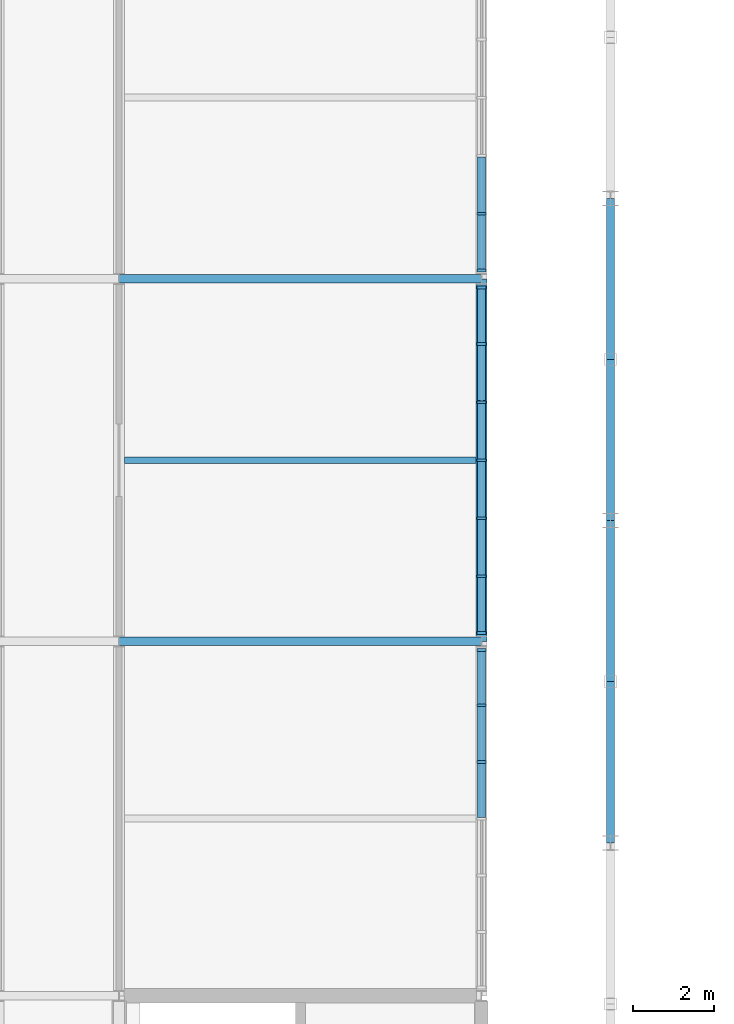
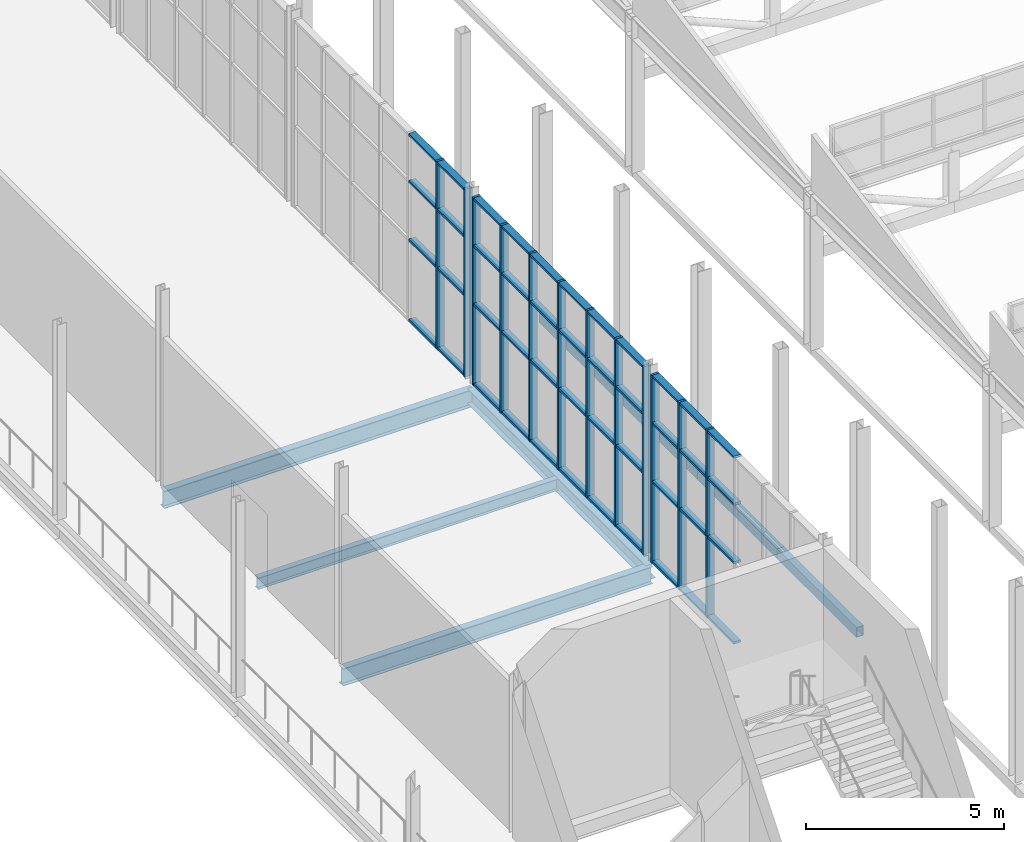
# One storey, part 76 of 159: 56 members, 8 beams, 3 elements without a shape of their own.
"""IFC4 building model written with IfcOpenShell, lengths in metres."""

import ifcopenshell
import ifcopenshell.guid

model = None  # the IFC model being written
_history = None  # IfcOwnerHistory: only IFC2X3 demands one
_inside = {}  # id of a spatial element -> (the spatial element, [elements in it])
_under = {}  # id of a project, library or spatial element -> (it, [spatial elements below it])
_declared = {}  # id of a project -> (the project, [libraries it declares])
_typed = {}  # id of a type object -> (the type object, [elements of that type])
_made_of = {}  # id of a material, layer set ... -> (it, [elements and type objects made of it])


def new_model(schema):
    """Start an empty IFC model of exactly this schema.

    Asked for "IFC4X3", IfcOpenShell would pick the latest addendum, in which some entities
    have other attributes; the version numbers below select the first issue.
    IFC2X3 requires an IfcOwnerHistory on every rooted entity: one is made here for all.
    """
    global model, _history
    if schema == "IFC4X3":
        model = ifcopenshell.file(schema_version=(4, 3, 0, 0))
    else:
        model = ifcopenshell.file(schema=schema)
    _inside.clear()
    _under.clear()
    _declared.clear()
    _typed.clear()
    _made_of.clear()
    _history = None
    if model.schema == "IFC2X3":
        org = make("IfcOrganization", Name="unknown")
        user = make(
            "IfcPersonAndOrganization",
            ThePerson=make("IfcPerson", FamilyName="unknown"),
            TheOrganization=org,
        )
        app = make(
            "IfcApplication",
            ApplicationDeveloper=org,
            Version="unknown",
            ApplicationFullName="unknown",
            ApplicationIdentifier="unknown",
        )
        _history = make(
            "IfcOwnerHistory",
            OwningUser=user,
            OwningApplication=app,
            ChangeAction="ADDED",
            CreationDate=0,
        )
    return model


def make(cls, **values):
    """One entity of the class cls with the attributes given. An attribute that is None is left unset."""
    return model.create_entity(
        cls, **{name: value for name, value in values.items() if value is not None}
    )


def rooted(cls, **values):
    """An entity with a GlobalId (a new one), such as an element, a storey or a relation."""
    return make(cls, GlobalId=ifcopenshell.guid.new(), OwnerHistory=_history, **values)


def si_unit(unit_type, name, prefix=None):
    """IfcSIUnit, for example si_unit("LENGTHUNIT", "METRE", prefix="MILLI")."""
    return make("IfcSIUnit", UnitType=unit_type, Prefix=prefix, Name=name)


def assignment(units):
    """IfcUnitAssignment: the units of a project."""
    return None if units is None else make("IfcUnitAssignment", Units=units)


def point(xyz):
    """IfcCartesianPoint."""
    return None if xyz is None else make("IfcCartesianPoint", Coordinates=xyz)


def direction(xyz):
    """IfcDirection."""
    return None if xyz is None else make("IfcDirection", DirectionRatios=xyz)


def frame(location, z_axis=None, x_axis=None):
    """IfcAxis2Placement3D, a coordinate frame: its origin and axes. An axis left out is left unset."""
    return make(
        "IfcAxis2Placement3D",
        Location=point(location),
        Axis=direction(z_axis),
        RefDirection=direction(x_axis),
    )


def frame_2d(location, x_axis=None):
    """IfcAxis2Placement2D, a coordinate frame in the plane: its origin and x axis."""
    return make(
        "IfcAxis2Placement2D", Location=point(location), RefDirection=direction(x_axis)
    )


def origin():
    """The frame at (0, 0, 0) with its axes left unset."""
    return frame((0.0, 0.0, 0.0))


def origin_2d():
    """The frame at (0, 0) in the plane with its x axis left unset."""
    return frame_2d((0.0, 0.0))


def place(relative_to, where):
    """IfcLocalPlacement: puts the frame where relative to a parent placement (None: the world)."""
    return make(
        "IfcLocalPlacement", PlacementRelTo=relative_to, RelativePlacement=where
    )


def context(
    kind, dimensions, precision=None, world=None, true_north=None, identifier=None
):
    """IfcGeometricRepresentationContext, for example the 3D "Model" context."""
    return make(
        "IfcGeometricRepresentationContext",
        ContextIdentifier=identifier,
        ContextType=kind,
        CoordinateSpaceDimension=dimensions,
        Precision=precision,
        WorldCoordinateSystem=world,
        TrueNorth=true_north,
    )


def subcontext(parent, identifier, kind, view, scale=None):
    """IfcGeometricRepresentationSubContext, for example "Body" below "Model"."""
    return make(
        "IfcGeometricRepresentationSubContext",
        ContextIdentifier=identifier,
        ContextType=kind,
        ParentContext=parent,
        TargetScale=scale,
        TargetView=view,
    )


def project(units=None, contexts=None):
    """IfcProject with its units and contexts."""
    return rooted(
        "IfcProject",
        Name="project",
        RepresentationContexts=contexts,
        UnitsInContext=assignment(units),
    )


def spatial(cls, under=None, at=None, **own):
    """A site, building, storey or space (cls), placed at a placement, below another one or the project."""
    s = rooted(cls, ObjectPlacement=at, **own)
    if under is not None:
        _under.setdefault(under.id(), (under, []))[1].append(s)
    return s


def profile(cls, at=None, kind="AREA", **sizes):
    """A parametric profile (cls). Its sizes go by their IFC names, for example OverallWidth=200.0."""
    return make(cls, ProfileType=kind, Position=at, **sizes)


def rectangle(**sizes):
    """IfcRectangleProfileDef."""
    return profile("IfcRectangleProfileDef", **sizes)


def hollow_rectangle(**sizes):
    """IfcRectangleHollowProfileDef."""
    return profile("IfcRectangleHollowProfileDef", **sizes)


def i_section(**sizes):
    """IfcIShapeProfileDef."""
    return profile("IfcIShapeProfileDef", **sizes)


def extrude(swept, where, along, depth):
    """IfcExtrudedAreaSolid: the profile swept, set in the frame where, extruded along a direction by depth."""
    return make(
        "IfcExtrudedAreaSolid",
        SweptArea=swept,
        Position=where,
        ExtrudedDirection=direction(along),
        Depth=depth,
    )


def shape(context_of_items, identifier, shape_type, items):
    """IfcShapeRepresentation: the items that make up one representation, for example the "Body"."""
    return make(
        "IfcShapeRepresentation",
        ContextOfItems=context_of_items,
        RepresentationIdentifier=identifier,
        RepresentationType=shape_type,
        Items=items,
    )


def material(Name=None, Category=None):
    """IfcMaterial."""
    return make("IfcMaterial", Name=Name, Category=Category)


def layer(
    of_material, thickness, ventilated=None, Name=None, Category=None, Priority=None
):
    """IfcMaterialLayer: one layer of a wall or slab, of a material (None: an air gap)."""
    return make(
        "IfcMaterialLayer",
        Material=of_material,
        LayerThickness=thickness,
        IsVentilated=ventilated,
        Name=Name,
        Category=Category,
        Priority=Priority,
    )


def layer_set(layers, Name=None):
    """IfcMaterialLayerSet."""
    return make("IfcMaterialLayerSet", MaterialLayers=layers, LayerSetName=Name)


def material_profile(
    of_material, cross_section, Name=None, Category=None, Priority=None
):
    """IfcMaterialProfile: a cross section and its material."""
    return make(
        "IfcMaterialProfile",
        Name=Name,
        Material=of_material,
        Profile=cross_section,
        Priority=Priority,
        Category=Category,
    )


def profile_set(profiles, Name=None, composite=None):
    """IfcMaterialProfileSet."""
    return make(
        "IfcMaterialProfileSet",
        Name=Name,
        MaterialProfiles=profiles,
        CompositeProfile=composite,
    )


def made_of(thing, what):
    """Note that an element or type object is made of a material, layer set ...; save() writes the relation."""
    if what is not None:
        _made_of.setdefault(what.id(), (what, []))[1].append(thing)
    return thing


def type_object(cls, material=None, **own):
    """A type object (cls), such as IfcWallType, which elements share."""
    return made_of(rooted(cls, **own), material)


def element(
    cls,
    number,
    at=None,
    inside=None,
    cuts=None,
    type_object=None,
    material=None,
    context=None,
    identifier="Body",
    shape_type=None,
    held_by="IfcProductDefinitionShape",
    body=None,
    shapes=None,
    **own,
):
    """One element of the class cls, such as IfcWall. Its Tag is "e" and its number.

    at: its placement. inside: the storey or other place that contains it. cuts: it is an
    opening in that element (IfcRelVoidsElement). A single representation is given by context,
    identifier, shape_type and body (its items); several are given by shapes. held_by: the class
    of the entity that holds the representations. save() writes the other relations.
    """
    e = rooted(cls, Tag="e%d" % number, ObjectPlacement=at, **own)
    if body is not None:
        shapes = [shape(context, identifier, shape_type, body)]
    if shapes is not None:
        e.Representation = make(held_by, Representations=shapes)
    if inside is not None:
        _inside.setdefault(inside.id(), (inside, []))[1].append(e)
    if cuts is not None:
        rooted(
            "IfcRelVoidsElement", RelatingBuildingElement=cuts, RelatedOpeningElement=e
        )
    if type_object is not None:
        _typed.setdefault(type_object.id(), (type_object, []))[1].append(e)
    return made_of(e, material)


def aggregate(whole, parts):
    """IfcRelAggregates: a whole, such as a stair, and the parts it consists of."""
    return rooted("IfcRelAggregates", RelatingObject=whole, RelatedObjects=parts)


def save(model, path):
    """Write the relations noted so far, then the file.

    IfcRelAggregates (storeys below a building ...), IfcRelContainedInSpatialStructure (elements
    in a storey), IfcRelDefinesByType, IfcRelAssociatesMaterial and IfcRelDeclares: one each for
    every whole, place, type object, material and project.
    """
    for whole, parts in _under.values():
        aggregate(whole, parts)
    for where, things in _inside.values():
        rooted(
            "IfcRelContainedInSpatialStructure",
            RelatedElements=things,
            RelatingStructure=where,
        )
    for kind, things in _typed.values():
        rooted("IfcRelDefinesByType", RelatedObjects=things, RelatingType=kind)
    for what, things in _made_of.values():
        rooted("IfcRelAssociatesMaterial", RelatedObjects=things, RelatingMaterial=what)
    for by, libraries in _declared.values():
        rooted("IfcRelDeclares", RelatingContext=by, RelatedDefinitions=libraries)
    model.write(path)


model = new_model("IFC4")

# Units and contexts
model_context = context("Model", 3, precision=1e-05, world=origin(), true_north=direction((0.0, 1.0)))
body_context = subcontext(model_context, "Body", "Model", "MODEL_VIEW")
ifc_project = project(units=[si_unit("LENGTHUNIT", "METRE"), si_unit("AREAUNIT", "SQUARE_METRE"), si_unit("VOLUMEUNIT", "CUBIC_METRE"), si_unit("PLANEANGLEUNIT", "RADIAN"), si_unit("MASSUNIT", "GRAM", prefix="KILO")], contexts=[model_context])

# Site, building, storey
site_placement = place(None, origin())
site = spatial("IfcSite", under=ifc_project, at=site_placement, CompositionType="ELEMENT")
building_placement = place(site_placement, origin())
building = spatial("IfcBuilding", under=site, at=building_placement, Name="Cazmaro Siding Exhibition Halls", CompositionType="ELEMENT")
storey_placement = place(building_placement, frame((0.0, 0.0, 6.0)))
storey = spatial("IfcBuildingStorey", under=building, at=storey_placement, Name="L01", CompositionType="ELEMENT", Elevation=6.0)

# Beams
ifc_material_1 = material(Name="Steel ASTM A992 Grade 50", Category="steel")
ifc_material_profile_1 = material_profile(ifc_material_1, i_section(OverallWidth=0.2099609375, OverallDepth=0.535888671875, WebThickness=0.010986328125, FlangeThickness=0.01708984375, at=origin_2d()), Name="W21X68")
ifc_profile_set_1 = profile_set([ifc_material_profile_1], Name="Steel ASTM A992 Grade 50")
beam_type_1 = type_object("IfcBeamType", Name="B-02", PredefinedType="BEAM", material=ifc_profile_set_1)
for number, where, z_axis, x_axis, name in (
    (1, (158.800048828125, 85.0, -0.488037109375), (1.0, 0.0, 0.0), (0.0, 1.0, 0.0), "Beam B-02 BM-0383"),
    (2, (158.800048828125, 94.0, -0.488037109375), (1.0, 0.0, 0.0), (0.0, 1.0, 0.0), "Beam B-02 BM-0384"),
):
    element("IfcBeam", number, at=place(storey_placement, frame(where, z_axis=z_axis, x_axis=x_axis)), inside=storey, type_object=beam_type_1, Name=name, PredefinedType="BEAM", context=body_context, shape_type="SweptSolid", body=[
        extrude(i_section(OverallWidth=0.2099609375, OverallDepth=0.535888671875, WebThickness=0.010986328125, FlangeThickness=0.01708984375, at=origin_2d()), origin(), (0.0, 0.0, 1.0), 9.0),
    ])
ifc_material_2 = material(Name="Steel ASTM A992 Grade 50", Category="steel")
ifc_material_profile_2 = material_profile(ifc_material_2, i_section(OverallWidth=0.279052734375, OverallDepth=0.4619140625, WebThickness=0.010986328125, FlangeThickness=0.01708984375, at=origin_2d()), Name="W18X76")
ifc_profile_set_2 = profile_set([ifc_material_profile_2], Name="Steel ASTM A992 Grade 50")
beam_type_2 = type_object("IfcBeamType", Name="B-03", PredefinedType="BEAM", material=ifc_profile_set_2)
beam_1_placement = place(storey_placement, frame((167.800048828125, 85.0, -0.450927734375), z_axis=(0.0, 1.0, 0.0), x_axis=(-1.0, 0.0, 0.0)))
element("IfcBeam", 3, at=beam_1_placement, inside=storey, type_object=beam_type_2, Name="Beam B-03 BM-0388", PredefinedType="BEAM", context=body_context, shape_type="SweptSolid", body=[
    extrude(i_section(OverallWidth=0.279052734375, OverallDepth=0.4619140625, WebThickness=0.010986328125, FlangeThickness=0.01708984375, at=origin_2d()), origin(), (0.0, 0.0, 1.0), 9.0),
])

# Curtain wall, members
ifc_material_3 = material(Name="Anodized Bronze Aluminum and Solar-Control Low-E Glazing", Category="aluminium")
ifc_layer = layer(ifc_material_3, 0.219970703125)
ifc_layer_set = layer_set([ifc_layer], Name="Anodized Bronze Aluminum and Solar-Control Low-E Glazing")
curtain_wall_type = type_object("IfcCurtainWallType", Name="CWS-03", PredefinedType="USERDEFINED", material=ifc_layer_set)
curtain_wall_1_placement = place(storey_placement, origin())
curtain_wall_1 = element("IfcCurtainWall", 4, at=curtain_wall_1_placement, inside=storey, type_object=curtain_wall_type, Name="Glazed Curtain Wall CWS-03 CW-066", ObjectType="GLAZED CURTAIN WALL", PredefinedType="USERDEFINED")
ifc_material_4 = material(Name="Anodized Bronze Extruded Aluminum", Category="aluminium")
ifc_material_profile_3 = material_profile(ifc_material_4, rectangle(XDim=0.219970703125, YDim=0.070068359375, at=origin_2d()), Name="CWM-03")
ifc_profile_set_3 = profile_set([ifc_material_profile_3], Name="Anodized Bronze Extruded Aluminum")
member_type_1 = type_object("IfcMemberType", Name="CWM-03", PredefinedType="MULLION", material=ifc_profile_set_3)
member_1_placement = place(storey_placement, frame((167.800048828125, 82.007568359375, 0.0), z_axis=(0.0, 0.0, 1.0), x_axis=(-1.0, 0.0, 0.0)))
member_1 = element("IfcMember", 5, at=member_1_placement, type_object=member_type_1, Name="CWS-03 mullion 5", PredefinedType="MULLION", context=body_context, shape_type="SweptSolid", body=[
    extrude(rectangle(XDim=0.219970703125, YDim=0.070068359375, at=origin_2d()), origin(), (0.0, 0.0, 1.0), 5.780029296875),
])
member_2_placement = place(storey_placement, frame((167.800048828125, 83.415283203125, 0.0), z_axis=(0.0, 0.0, 1.0), x_axis=(-1.0, 0.0, 0.0)))
member_2 = element("IfcMember", 6, at=member_2_placement, type_object=member_type_1, Name="CWS-03 mullion 6", PredefinedType="MULLION", context=body_context, shape_type="SweptSolid", body=[
    extrude(rectangle(XDim=0.219970703125, YDim=0.070068359375, at=origin_2d()), origin(), (0.0, 0.0, 1.0), 5.780029296875),
])
member_3_placement = place(storey_placement, frame((167.800048828125, 84.7880859375, 0.0), z_axis=(0.0, 0.0, 1.0), x_axis=(-1.0, 0.0, 0.0)))
member_3 = element("IfcMember", 7, at=member_3_placement, type_object=member_type_1, Name="CWS-03 mullion 7", PredefinedType="MULLION", context=body_context, shape_type="SweptSolid", body=[
    extrude(rectangle(XDim=0.219970703125, YDim=0.070068359375, at=origin_2d()), origin(), (0.0, 0.0, 1.0), 5.780029296875),
])

curtain_wall_2_placement = place(storey_placement, origin())
curtain_wall_2 = element("IfcCurtainWall", 8, at=curtain_wall_2_placement, inside=storey, type_object=curtain_wall_type, Name="Glazed Curtain Wall CWS-03 CW-069", ObjectType="GLAZED CURTAIN WALL", PredefinedType="USERDEFINED")
member_4_placement = place(storey_placement, frame((167.800048828125, 85.2119140625, 0.0), z_axis=(0.0, 0.0, 1.0), x_axis=(-1.0, 0.0, 0.0)))
member_4 = element("IfcMember", 9, at=member_4_placement, type_object=member_type_1, Name="CWS-03 mullion 1", PredefinedType="MULLION", context=body_context, shape_type="SweptSolid", body=[
    extrude(rectangle(XDim=0.219970703125, YDim=0.070068359375, at=origin_2d()), origin(), (0.0, 0.0, 1.0), 5.780029296875),
])
member_5_placement = place(storey_placement, frame((167.800048828125, 86.617919921875, 0.0), z_axis=(0.0, 0.0, 1.0), x_axis=(-1.0, 0.0, 0.0)))
member_5 = element("IfcMember", 10, at=member_5_placement, type_object=member_type_1, Name="CWS-03 mullion 2", PredefinedType="MULLION", context=body_context, shape_type="SweptSolid", body=[
    extrude(rectangle(XDim=0.219970703125, YDim=0.070068359375, at=origin_2d()), origin(), (0.0, 0.0, 1.0), 5.780029296875),
])
member_6_placement = place(storey_placement, frame((167.800048828125, 88.05908203125, 0.0), z_axis=(0.0, 0.0, 1.0), x_axis=(-1.0, 0.0, 0.0)))
member_6 = element("IfcMember", 11, at=member_6_placement, type_object=member_type_1, Name="CWS-03 mullion 3", PredefinedType="MULLION", context=body_context, shape_type="SweptSolid", body=[
    extrude(rectangle(XDim=0.219970703125, YDim=0.070068359375, at=origin_2d()), origin(), (0.0, 0.0, 1.0), 5.780029296875),
])
member_7_placement = place(storey_placement, frame((167.800048828125, 89.5, 0.0), z_axis=(0.0, 0.0, 1.0), x_axis=(-1.0, 0.0, 0.0)))
member_7 = element("IfcMember", 12, at=member_7_placement, type_object=member_type_1, Name="CWS-03 mullion 4", PredefinedType="MULLION", context=body_context, shape_type="SweptSolid", body=[
    extrude(rectangle(XDim=0.219970703125, YDim=0.070068359375, at=origin_2d()), origin(), (0.0, 0.0, 1.0), 5.780029296875),
])
member_8_placement = place(storey_placement, frame((167.800048828125, 90.94091796875, 0.0), z_axis=(0.0, 0.0, 1.0), x_axis=(-1.0, 0.0, 0.0)))
member_8 = element("IfcMember", 13, at=member_8_placement, type_object=member_type_1, Name="CWS-03 mullion 5", PredefinedType="MULLION", context=body_context, shape_type="SweptSolid", body=[
    extrude(rectangle(XDim=0.219970703125, YDim=0.070068359375, at=origin_2d()), origin(), (0.0, 0.0, 1.0), 5.780029296875),
])
member_9_placement = place(storey_placement, frame((167.800048828125, 92.382080078125, 0.0), z_axis=(0.0, 0.0, 1.0), x_axis=(-1.0, 0.0, 0.0)))
member_9 = element("IfcMember", 14, at=member_9_placement, type_object=member_type_1, Name="CWS-03 mullion 6", PredefinedType="MULLION", context=body_context, shape_type="SweptSolid", body=[
    extrude(rectangle(XDim=0.219970703125, YDim=0.070068359375, at=origin_2d()), origin(), (0.0, 0.0, 1.0), 5.780029296875),
])
member_10_placement = place(storey_placement, frame((167.800048828125, 93.7880859375, 0.0), z_axis=(0.0, 0.0, 1.0), x_axis=(-1.0, 0.0, 0.0)))
member_10 = element("IfcMember", 15, at=member_10_placement, type_object=member_type_1, Name="CWS-03 mullion 7", PredefinedType="MULLION", context=body_context, shape_type="SweptSolid", body=[
    extrude(rectangle(XDim=0.219970703125, YDim=0.070068359375, at=origin_2d()), origin(), (0.0, 0.0, 1.0), 5.780029296875),
])

curtain_wall_3_placement = place(storey_placement, origin())
curtain_wall_3 = element("IfcCurtainWall", 16, at=curtain_wall_3_placement, inside=storey, type_object=curtain_wall_type, Name="Glazed Curtain Wall CWS-03 CW-072", ObjectType="GLAZED CURTAIN WALL", PredefinedType="USERDEFINED")
member_11_placement = place(storey_placement, frame((167.800048828125, 94.2119140625, 0.0), z_axis=(0.0, 0.0, 1.0), x_axis=(-1.0, 0.0, 0.0)))
member_11 = element("IfcMember", 17, at=member_11_placement, type_object=member_type_1, Name="CWS-03 mullion 1", PredefinedType="MULLION", context=body_context, shape_type="SweptSolid", body=[
    extrude(rectangle(XDim=0.219970703125, YDim=0.070068359375, at=origin_2d()), origin(), (0.0, 0.0, 1.0), 5.780029296875),
])
member_12_placement = place(storey_placement, frame((167.800048828125, 95.617919921875, 0.0), z_axis=(0.0, 0.0, 1.0), x_axis=(-1.0, 0.0, 0.0)))
member_12 = element("IfcMember", 18, at=member_12_placement, type_object=member_type_1, Name="CWS-03 mullion 2", PredefinedType="MULLION", context=body_context, shape_type="SweptSolid", body=[
    extrude(rectangle(XDim=0.219970703125, YDim=0.070068359375, at=origin_2d()), origin(), (0.0, 0.0, 1.0), 5.780029296875),
])

# Member
ifc_material_5 = material(Name="Anodized Bronze Extruded Aluminum", Category="aluminium")
ifc_material_profile_4 = material_profile(ifc_material_5, rectangle(XDim=0.199951171875, YDim=0.070068359375, at=origin_2d()), Name="CWT-03")
ifc_profile_set_4 = profile_set([ifc_material_profile_4], Name="Anodized Bronze Extruded Aluminum")
member_type_2 = type_object("IfcMemberType", Name="CWT-03", PredefinedType="MULLION", material=ifc_profile_set_4)
member_13_placement = place(storey_placement, frame((167.800048828125, 80.635009765625, 0.034912109375), z_axis=(0.0, 1.0, 0.0), x_axis=(-1.0, 0.0, 0.0)))
member_13 = element("IfcMember", 19, at=member_13_placement, type_object=member_type_2, Name="CWS-03 transom 4.1", ObjectType="TRANSOM", PredefinedType="USERDEFINED", context=body_context, shape_type="SweptSolid", body=[
    extrude(rectangle(XDim=0.199951171875, YDim=0.070068359375, at=origin_2d()), origin(), (0.0, 0.0, 1.0), 1.337646484375),
])

member_14_placement = place(storey_placement, frame((167.800048828125, 80.635009765625, 2.5), z_axis=(0.0, 1.0, 0.0), x_axis=(-1.0, 0.0, 0.0)))
member_14 = element("IfcMember", 20, at=member_14_placement, type_object=member_type_2, Name="CWS-03 transom 4.2", ObjectType="TRANSOM", PredefinedType="USERDEFINED", context=body_context, shape_type="SweptSolid", body=[
    extrude(rectangle(XDim=0.199951171875, YDim=0.070068359375, at=origin_2d()), origin(), (0.0, 0.0, 1.0), 1.337646484375),
])

member_15_placement = place(storey_placement, frame((167.800048828125, 80.635009765625, 4.300048828125), z_axis=(0.0, 1.0, 0.0), x_axis=(-1.0, 0.0, 0.0)))
member_15 = element("IfcMember", 21, at=member_15_placement, type_object=member_type_2, Name="CWS-03 transom 4.3", ObjectType="TRANSOM", PredefinedType="USERDEFINED", context=body_context, shape_type="SweptSolid", body=[
    extrude(rectangle(XDim=0.199951171875, YDim=0.070068359375, at=origin_2d()), origin(), (0.0, 0.0, 1.0), 1.337646484375),
])

member_16_placement = place(storey_placement, frame((167.800048828125, 80.635009765625, 5.7451171875), z_axis=(0.0, 1.0, 0.0), x_axis=(-1.0, 0.0, 0.0)))
member_16 = element("IfcMember", 22, at=member_16_placement, type_object=member_type_2, Name="CWS-03 transom 4.4", ObjectType="TRANSOM", PredefinedType="USERDEFINED", context=body_context, shape_type="SweptSolid", body=[
    extrude(rectangle(XDim=0.199951171875, YDim=0.070068359375, at=origin_2d()), origin(), (0.0, 0.0, 1.0), 1.337646484375),
])

member_17_placement = place(storey_placement, frame((167.800048828125, 82.042724609375, 0.034912109375), z_axis=(0.0, 1.0, 0.0), x_axis=(-1.0, 0.0, 0.0)))
member_17 = element("IfcMember", 23, at=member_17_placement, type_object=member_type_2, Name="CWS-03 transom 5.1", ObjectType="TRANSOM", PredefinedType="USERDEFINED", context=body_context, shape_type="SweptSolid", body=[
    extrude(rectangle(XDim=0.199951171875, YDim=0.070068359375, at=origin_2d()), origin(), (0.0, 0.0, 1.0), 1.337646484375),
])

member_18_placement = place(storey_placement, frame((167.800048828125, 82.042724609375, 2.5), z_axis=(0.0, 1.0, 0.0), x_axis=(-1.0, 0.0, 0.0)))
member_18 = element("IfcMember", 24, at=member_18_placement, type_object=member_type_2, Name="CWS-03 transom 5.2", ObjectType="TRANSOM", PredefinedType="USERDEFINED", context=body_context, shape_type="SweptSolid", body=[
    extrude(rectangle(XDim=0.199951171875, YDim=0.070068359375, at=origin_2d()), origin(), (0.0, 0.0, 1.0), 1.337646484375),
])

member_19_placement = place(storey_placement, frame((167.800048828125, 82.042724609375, 4.300048828125), z_axis=(0.0, 1.0, 0.0), x_axis=(-1.0, 0.0, 0.0)))
member_19 = element("IfcMember", 25, at=member_19_placement, type_object=member_type_2, Name="CWS-03 transom 5.3", ObjectType="TRANSOM", PredefinedType="USERDEFINED", context=body_context, shape_type="SweptSolid", body=[
    extrude(rectangle(XDim=0.199951171875, YDim=0.070068359375, at=origin_2d()), origin(), (0.0, 0.0, 1.0), 1.337646484375),
])

member_20_placement = place(storey_placement, frame((167.800048828125, 82.042724609375, 5.7451171875), z_axis=(0.0, 1.0, 0.0), x_axis=(-1.0, 0.0, 0.0)))
member_20 = element("IfcMember", 26, at=member_20_placement, type_object=member_type_2, Name="CWS-03 transom 5.4", ObjectType="TRANSOM", PredefinedType="USERDEFINED", context=body_context, shape_type="SweptSolid", body=[
    extrude(rectangle(XDim=0.199951171875, YDim=0.070068359375, at=origin_2d()), origin(), (0.0, 0.0, 1.0), 1.337646484375),
])

member_21_placement = place(storey_placement, frame((167.800048828125, 83.450439453125, 0.034912109375), z_axis=(0.0, 1.0, 0.0), x_axis=(-1.0, 0.0, 0.0)))
member_21 = element("IfcMember", 27, at=member_21_placement, type_object=member_type_2, Name="CWS-03 transom 6.1", ObjectType="TRANSOM", PredefinedType="USERDEFINED", context=body_context, shape_type="SweptSolid", body=[
    extrude(rectangle(XDim=0.199951171875, YDim=0.070068359375, at=origin_2d()), origin(), (0.0, 0.0, 1.0), 1.302490234375),
])

member_22_placement = place(storey_placement, frame((167.800048828125, 83.450439453125, 2.5), z_axis=(0.0, 1.0, 0.0), x_axis=(-1.0, 0.0, 0.0)))
member_22 = element("IfcMember", 28, at=member_22_placement, type_object=member_type_2, Name="CWS-03 transom 6.2", ObjectType="TRANSOM", PredefinedType="USERDEFINED", context=body_context, shape_type="SweptSolid", body=[
    extrude(rectangle(XDim=0.199951171875, YDim=0.070068359375, at=origin_2d()), origin(), (0.0, 0.0, 1.0), 1.302490234375),
])

member_23_placement = place(storey_placement, frame((167.800048828125, 83.450439453125, 4.300048828125), z_axis=(0.0, 1.0, 0.0), x_axis=(-1.0, 0.0, 0.0)))
member_23 = element("IfcMember", 29, at=member_23_placement, type_object=member_type_2, Name="CWS-03 transom 6.3", ObjectType="TRANSOM", PredefinedType="USERDEFINED", context=body_context, shape_type="SweptSolid", body=[
    extrude(rectangle(XDim=0.199951171875, YDim=0.070068359375, at=origin_2d()), origin(), (0.0, 0.0, 1.0), 1.302490234375),
])

member_24_placement = place(storey_placement, frame((167.800048828125, 83.450439453125, 5.7451171875), z_axis=(0.0, 1.0, 0.0), x_axis=(-1.0, 0.0, 0.0)))
member_24 = element("IfcMember", 30, at=member_24_placement, type_object=member_type_2, Name="CWS-03 transom 6.4", ObjectType="TRANSOM", PredefinedType="USERDEFINED", context=body_context, shape_type="SweptSolid", body=[
    extrude(rectangle(XDim=0.199951171875, YDim=0.070068359375, at=origin_2d()), origin(), (0.0, 0.0, 1.0), 1.302490234375),
])

aggregate(curtain_wall_1, [member_1, member_2, member_3, member_13, member_14, member_15, member_16, member_17, member_18, member_19, member_20, member_21, member_22, member_23, member_24])

member_25_placement = place(storey_placement, frame((167.800048828125, 85.2470703125, 0.034912109375), z_axis=(0.0, 1.0, 0.0), x_axis=(-1.0, 0.0, 0.0)))
member_25 = element("IfcMember", 31, at=member_25_placement, type_object=member_type_2, Name="CWS-03 transom 1.1", ObjectType="TRANSOM", PredefinedType="USERDEFINED", context=body_context, shape_type="SweptSolid", body=[
    extrude(rectangle(XDim=0.199951171875, YDim=0.070068359375, at=origin_2d()), origin(), (0.0, 0.0, 1.0), 1.3359375),
])

member_26_placement = place(storey_placement, frame((167.800048828125, 85.2470703125, 2.5), z_axis=(0.0, 1.0, 0.0), x_axis=(-1.0, 0.0, 0.0)))
member_26 = element("IfcMember", 32, at=member_26_placement, type_object=member_type_2, Name="CWS-03 transom 1.2", ObjectType="TRANSOM", PredefinedType="USERDEFINED", context=body_context, shape_type="SweptSolid", body=[
    extrude(rectangle(XDim=0.199951171875, YDim=0.070068359375, at=origin_2d()), origin(), (0.0, 0.0, 1.0), 1.3359375),
])

member_27_placement = place(storey_placement, frame((167.800048828125, 85.2470703125, 4.300048828125), z_axis=(0.0, 1.0, 0.0), x_axis=(-1.0, 0.0, 0.0)))
member_27 = element("IfcMember", 33, at=member_27_placement, type_object=member_type_2, Name="CWS-03 transom 1.3", ObjectType="TRANSOM", PredefinedType="USERDEFINED", context=body_context, shape_type="SweptSolid", body=[
    extrude(rectangle(XDim=0.199951171875, YDim=0.070068359375, at=origin_2d()), origin(), (0.0, 0.0, 1.0), 1.3359375),
])

member_28_placement = place(storey_placement, frame((167.800048828125, 85.2470703125, 5.7451171875), z_axis=(0.0, 1.0, 0.0), x_axis=(-1.0, 0.0, 0.0)))
member_28 = element("IfcMember", 34, at=member_28_placement, type_object=member_type_2, Name="CWS-03 transom 1.4", ObjectType="TRANSOM", PredefinedType="USERDEFINED", context=body_context, shape_type="SweptSolid", body=[
    extrude(rectangle(XDim=0.199951171875, YDim=0.070068359375, at=origin_2d()), origin(), (0.0, 0.0, 1.0), 1.3359375),
])

member_29_placement = place(storey_placement, frame((167.800048828125, 86.653076171875, 0.034912109375), z_axis=(0.0, 1.0, 0.0), x_axis=(-1.0, 0.0, 0.0)))
member_29 = element("IfcMember", 35, at=member_29_placement, type_object=member_type_2, Name="CWS-03 transom 2.1", ObjectType="TRANSOM", PredefinedType="USERDEFINED", context=body_context, shape_type="SweptSolid", body=[
    extrude(rectangle(XDim=0.199951171875, YDim=0.070068359375, at=origin_2d()), origin(), (0.0, 0.0, 1.0), 1.370849609375),
])

member_30_placement = place(storey_placement, frame((167.800048828125, 86.653076171875, 2.5), z_axis=(0.0, 1.0, 0.0), x_axis=(-1.0, 0.0, 0.0)))
member_30 = element("IfcMember", 36, at=member_30_placement, type_object=member_type_2, Name="CWS-03 transom 2.2", ObjectType="TRANSOM", PredefinedType="USERDEFINED", context=body_context, shape_type="SweptSolid", body=[
    extrude(rectangle(XDim=0.199951171875, YDim=0.070068359375, at=origin_2d()), origin(), (0.0, 0.0, 1.0), 1.370849609375),
])

member_31_placement = place(storey_placement, frame((167.800048828125, 86.653076171875, 4.300048828125), z_axis=(0.0, 1.0, 0.0), x_axis=(-1.0, 0.0, 0.0)))
member_31 = element("IfcMember", 37, at=member_31_placement, type_object=member_type_2, Name="CWS-03 transom 2.3", ObjectType="TRANSOM", PredefinedType="USERDEFINED", context=body_context, shape_type="SweptSolid", body=[
    extrude(rectangle(XDim=0.199951171875, YDim=0.070068359375, at=origin_2d()), origin(), (0.0, 0.0, 1.0), 1.370849609375),
])

member_32_placement = place(storey_placement, frame((167.800048828125, 86.653076171875, 5.7451171875), z_axis=(0.0, 1.0, 0.0), x_axis=(-1.0, 0.0, 0.0)))
member_32 = element("IfcMember", 38, at=member_32_placement, type_object=member_type_2, Name="CWS-03 transom 2.4", ObjectType="TRANSOM", PredefinedType="USERDEFINED", context=body_context, shape_type="SweptSolid", body=[
    extrude(rectangle(XDim=0.199951171875, YDim=0.070068359375, at=origin_2d()), origin(), (0.0, 0.0, 1.0), 1.370849609375),
])

member_33_placement = place(storey_placement, frame((167.800048828125, 88.093994140625, 0.034912109375), z_axis=(0.0, 1.0, 0.0), x_axis=(-1.0, 0.0, 0.0)))
member_33 = element("IfcMember", 39, at=member_33_placement, type_object=member_type_2, Name="CWS-03 transom 3.1", ObjectType="TRANSOM", PredefinedType="USERDEFINED", context=body_context, shape_type="SweptSolid", body=[
    extrude(rectangle(XDim=0.199951171875, YDim=0.070068359375, at=origin_2d()), origin(), (0.0, 0.0, 1.0), 1.37109375),
])

member_34_placement = place(storey_placement, frame((167.800048828125, 88.093994140625, 2.5), z_axis=(0.0, 1.0, 0.0), x_axis=(-1.0, 0.0, 0.0)))
member_34 = element("IfcMember", 40, at=member_34_placement, type_object=member_type_2, Name="CWS-03 transom 3.2", ObjectType="TRANSOM", PredefinedType="USERDEFINED", context=body_context, shape_type="SweptSolid", body=[
    extrude(rectangle(XDim=0.199951171875, YDim=0.070068359375, at=origin_2d()), origin(), (0.0, 0.0, 1.0), 1.37109375),
])

member_35_placement = place(storey_placement, frame((167.800048828125, 88.093994140625, 4.300048828125), z_axis=(0.0, 1.0, 0.0), x_axis=(-1.0, 0.0, 0.0)))
member_35 = element("IfcMember", 41, at=member_35_placement, type_object=member_type_2, Name="CWS-03 transom 3.3", ObjectType="TRANSOM", PredefinedType="USERDEFINED", context=body_context, shape_type="SweptSolid", body=[
    extrude(rectangle(XDim=0.199951171875, YDim=0.070068359375, at=origin_2d()), origin(), (0.0, 0.0, 1.0), 1.37109375),
])

member_36_placement = place(storey_placement, frame((167.800048828125, 88.093994140625, 5.7451171875), z_axis=(0.0, 1.0, 0.0), x_axis=(-1.0, 0.0, 0.0)))
member_36 = element("IfcMember", 42, at=member_36_placement, type_object=member_type_2, Name="CWS-03 transom 3.4", ObjectType="TRANSOM", PredefinedType="USERDEFINED", context=body_context, shape_type="SweptSolid", body=[
    extrude(rectangle(XDim=0.199951171875, YDim=0.070068359375, at=origin_2d()), origin(), (0.0, 0.0, 1.0), 1.37109375),
])

member_37_placement = place(storey_placement, frame((167.800048828125, 89.534912109375, 0.034912109375), z_axis=(0.0, 1.0, 0.0), x_axis=(-1.0, 0.0, 0.0)))
member_37 = element("IfcMember", 43, at=member_37_placement, type_object=member_type_2, Name="CWS-03 transom 4.1", ObjectType="TRANSOM", PredefinedType="USERDEFINED", context=body_context, shape_type="SweptSolid", body=[
    extrude(rectangle(XDim=0.199951171875, YDim=0.070068359375, at=origin_2d()), origin(), (0.0, 0.0, 1.0), 1.37109375),
])

member_38_placement = place(storey_placement, frame((167.800048828125, 89.534912109375, 2.5), z_axis=(0.0, 1.0, 0.0), x_axis=(-1.0, 0.0, 0.0)))
member_38 = element("IfcMember", 44, at=member_38_placement, type_object=member_type_2, Name="CWS-03 transom 4.2", ObjectType="TRANSOM", PredefinedType="USERDEFINED", context=body_context, shape_type="SweptSolid", body=[
    extrude(rectangle(XDim=0.199951171875, YDim=0.070068359375, at=origin_2d()), origin(), (0.0, 0.0, 1.0), 1.37109375),
])

member_39_placement = place(storey_placement, frame((167.800048828125, 89.534912109375, 4.300048828125), z_axis=(0.0, 1.0, 0.0), x_axis=(-1.0, 0.0, 0.0)))
member_39 = element("IfcMember", 45, at=member_39_placement, type_object=member_type_2, Name="CWS-03 transom 4.3", ObjectType="TRANSOM", PredefinedType="USERDEFINED", context=body_context, shape_type="SweptSolid", body=[
    extrude(rectangle(XDim=0.199951171875, YDim=0.070068359375, at=origin_2d()), origin(), (0.0, 0.0, 1.0), 1.37109375),
])

member_40_placement = place(storey_placement, frame((167.800048828125, 89.534912109375, 5.7451171875), z_axis=(0.0, 1.0, 0.0), x_axis=(-1.0, 0.0, 0.0)))
member_40 = element("IfcMember", 46, at=member_40_placement, type_object=member_type_2, Name="CWS-03 transom 4.4", ObjectType="TRANSOM", PredefinedType="USERDEFINED", context=body_context, shape_type="SweptSolid", body=[
    extrude(rectangle(XDim=0.199951171875, YDim=0.070068359375, at=origin_2d()), origin(), (0.0, 0.0, 1.0), 1.37109375),
])

member_41_placement = place(storey_placement, frame((167.800048828125, 90.97607421875, 0.034912109375), z_axis=(0.0, 1.0, 0.0), x_axis=(-1.0, 0.0, 0.0)))
member_41 = element("IfcMember", 47, at=member_41_placement, type_object=member_type_2, Name="CWS-03 transom 5.1", ObjectType="TRANSOM", PredefinedType="USERDEFINED", context=body_context, shape_type="SweptSolid", body=[
    extrude(rectangle(XDim=0.199951171875, YDim=0.070068359375, at=origin_2d()), origin(), (0.0, 0.0, 1.0), 1.370849609375),
])

member_42_placement = place(storey_placement, frame((167.800048828125, 90.97607421875, 2.5), z_axis=(0.0, 1.0, 0.0), x_axis=(-1.0, 0.0, 0.0)))
member_42 = element("IfcMember", 48, at=member_42_placement, type_object=member_type_2, Name="CWS-03 transom 5.2", ObjectType="TRANSOM", PredefinedType="USERDEFINED", context=body_context, shape_type="SweptSolid", body=[
    extrude(rectangle(XDim=0.199951171875, YDim=0.070068359375, at=origin_2d()), origin(), (0.0, 0.0, 1.0), 1.370849609375),
])

member_43_placement = place(storey_placement, frame((167.800048828125, 90.97607421875, 4.300048828125), z_axis=(0.0, 1.0, 0.0), x_axis=(-1.0, 0.0, 0.0)))
member_43 = element("IfcMember", 49, at=member_43_placement, type_object=member_type_2, Name="CWS-03 transom 5.3", ObjectType="TRANSOM", PredefinedType="USERDEFINED", context=body_context, shape_type="SweptSolid", body=[
    extrude(rectangle(XDim=0.199951171875, YDim=0.070068359375, at=origin_2d()), origin(), (0.0, 0.0, 1.0), 1.370849609375),
])

member_44_placement = place(storey_placement, frame((167.800048828125, 90.97607421875, 5.7451171875), z_axis=(0.0, 1.0, 0.0), x_axis=(-1.0, 0.0, 0.0)))
member_44 = element("IfcMember", 50, at=member_44_placement, type_object=member_type_2, Name="CWS-03 transom 5.4", ObjectType="TRANSOM", PredefinedType="USERDEFINED", context=body_context, shape_type="SweptSolid", body=[
    extrude(rectangle(XDim=0.199951171875, YDim=0.070068359375, at=origin_2d()), origin(), (0.0, 0.0, 1.0), 1.370849609375),
])

member_45_placement = place(storey_placement, frame((167.800048828125, 92.4169921875, 0.034912109375), z_axis=(0.0, 1.0, 0.0), x_axis=(-1.0, 0.0, 0.0)))
member_45 = element("IfcMember", 51, at=member_45_placement, type_object=member_type_2, Name="CWS-03 transom 6.1", ObjectType="TRANSOM", PredefinedType="USERDEFINED", context=body_context, shape_type="SweptSolid", body=[
    extrude(rectangle(XDim=0.199951171875, YDim=0.070068359375, at=origin_2d()), origin(), (0.0, 0.0, 1.0), 1.3359375),
])

member_46_placement = place(storey_placement, frame((167.800048828125, 92.4169921875, 2.5), z_axis=(0.0, 1.0, 0.0), x_axis=(-1.0, 0.0, 0.0)))
member_46 = element("IfcMember", 52, at=member_46_placement, type_object=member_type_2, Name="CWS-03 transom 6.2", ObjectType="TRANSOM", PredefinedType="USERDEFINED", context=body_context, shape_type="SweptSolid", body=[
    extrude(rectangle(XDim=0.199951171875, YDim=0.070068359375, at=origin_2d()), origin(), (0.0, 0.0, 1.0), 1.3359375),
])

member_47_placement = place(storey_placement, frame((167.800048828125, 92.4169921875, 4.300048828125), z_axis=(0.0, 1.0, 0.0), x_axis=(-1.0, 0.0, 0.0)))
member_47 = element("IfcMember", 53, at=member_47_placement, type_object=member_type_2, Name="CWS-03 transom 6.3", ObjectType="TRANSOM", PredefinedType="USERDEFINED", context=body_context, shape_type="SweptSolid", body=[
    extrude(rectangle(XDim=0.199951171875, YDim=0.070068359375, at=origin_2d()), origin(), (0.0, 0.0, 1.0), 1.3359375),
])

member_48_placement = place(storey_placement, frame((167.800048828125, 92.4169921875, 5.7451171875), z_axis=(0.0, 1.0, 0.0), x_axis=(-1.0, 0.0, 0.0)))
member_48 = element("IfcMember", 54, at=member_48_placement, type_object=member_type_2, Name="CWS-03 transom 6.4", ObjectType="TRANSOM", PredefinedType="USERDEFINED", context=body_context, shape_type="SweptSolid", body=[
    extrude(rectangle(XDim=0.199951171875, YDim=0.070068359375, at=origin_2d()), origin(), (0.0, 0.0, 1.0), 1.3359375),
])

aggregate(curtain_wall_2, [member_4, member_5, member_6, member_7, member_8, member_9, member_10, member_25, member_26, member_27, member_28, member_29, member_30, member_31, member_32, member_33, member_34, member_35, member_36, member_37, member_38, member_39, member_40, member_41, member_42, member_43, member_44, member_45, member_46, member_47, member_48])

member_49_placement = place(storey_placement, frame((167.800048828125, 94.2470703125, 0.034912109375), z_axis=(0.0, 1.0, 0.0), x_axis=(-1.0, 0.0, 0.0)))
member_49 = element("IfcMember", 55, at=member_49_placement, type_object=member_type_2, Name="CWS-03 transom 1.1", ObjectType="TRANSOM", PredefinedType="USERDEFINED", context=body_context, shape_type="SweptSolid", body=[
    extrude(rectangle(XDim=0.199951171875, YDim=0.070068359375, at=origin_2d()), origin(), (0.0, 0.0, 1.0), 1.3359375),
])

member_50_placement = place(storey_placement, frame((167.800048828125, 94.2470703125, 2.5), z_axis=(0.0, 1.0, 0.0), x_axis=(-1.0, 0.0, 0.0)))
member_50 = element("IfcMember", 56, at=member_50_placement, type_object=member_type_2, Name="CWS-03 transom 1.2", ObjectType="TRANSOM", PredefinedType="USERDEFINED", context=body_context, shape_type="SweptSolid", body=[
    extrude(rectangle(XDim=0.199951171875, YDim=0.070068359375, at=origin_2d()), origin(), (0.0, 0.0, 1.0), 1.3359375),
])

member_51_placement = place(storey_placement, frame((167.800048828125, 94.2470703125, 4.300048828125), z_axis=(0.0, 1.0, 0.0), x_axis=(-1.0, 0.0, 0.0)))
member_51 = element("IfcMember", 57, at=member_51_placement, type_object=member_type_2, Name="CWS-03 transom 1.3", ObjectType="TRANSOM", PredefinedType="USERDEFINED", context=body_context, shape_type="SweptSolid", body=[
    extrude(rectangle(XDim=0.199951171875, YDim=0.070068359375, at=origin_2d()), origin(), (0.0, 0.0, 1.0), 1.3359375),
])

member_52_placement = place(storey_placement, frame((167.800048828125, 94.2470703125, 5.7451171875), z_axis=(0.0, 1.0, 0.0), x_axis=(-1.0, 0.0, 0.0)))
member_52 = element("IfcMember", 58, at=member_52_placement, type_object=member_type_2, Name="CWS-03 transom 1.4", ObjectType="TRANSOM", PredefinedType="USERDEFINED", context=body_context, shape_type="SweptSolid", body=[
    extrude(rectangle(XDim=0.199951171875, YDim=0.070068359375, at=origin_2d()), origin(), (0.0, 0.0, 1.0), 1.3359375),
])

member_53_placement = place(storey_placement, frame((167.800048828125, 95.653076171875, 0.034912109375), z_axis=(0.0, 1.0, 0.0), x_axis=(-1.0, 0.0, 0.0)))
member_53 = element("IfcMember", 59, at=member_53_placement, type_object=member_type_2, Name="CWS-03 transom 2.1", ObjectType="TRANSOM", PredefinedType="USERDEFINED", context=body_context, shape_type="SweptSolid", body=[
    extrude(rectangle(XDim=0.199951171875, YDim=0.070068359375, at=origin_2d()), origin(), (0.0, 0.0, 1.0), 1.370849609375),
])

member_54_placement = place(storey_placement, frame((167.800048828125, 95.653076171875, 2.5), z_axis=(0.0, 1.0, 0.0), x_axis=(-1.0, 0.0, 0.0)))
member_54 = element("IfcMember", 60, at=member_54_placement, type_object=member_type_2, Name="CWS-03 transom 2.2", ObjectType="TRANSOM", PredefinedType="USERDEFINED", context=body_context, shape_type="SweptSolid", body=[
    extrude(rectangle(XDim=0.199951171875, YDim=0.070068359375, at=origin_2d()), origin(), (0.0, 0.0, 1.0), 1.370849609375),
])

member_55_placement = place(storey_placement, frame((167.800048828125, 95.653076171875, 4.300048828125), z_axis=(0.0, 1.0, 0.0), x_axis=(-1.0, 0.0, 0.0)))
member_55 = element("IfcMember", 61, at=member_55_placement, type_object=member_type_2, Name="CWS-03 transom 2.3", ObjectType="TRANSOM", PredefinedType="USERDEFINED", context=body_context, shape_type="SweptSolid", body=[
    extrude(rectangle(XDim=0.199951171875, YDim=0.070068359375, at=origin_2d()), origin(), (0.0, 0.0, 1.0), 1.370849609375),
])

member_56_placement = place(storey_placement, frame((167.800048828125, 95.653076171875, 5.7451171875), z_axis=(0.0, 1.0, 0.0), x_axis=(-1.0, 0.0, 0.0)))
member_56 = element("IfcMember", 62, at=member_56_placement, type_object=member_type_2, Name="CWS-03 transom 2.4", ObjectType="TRANSOM", PredefinedType="USERDEFINED", context=body_context, shape_type="SweptSolid", body=[
    extrude(rectangle(XDim=0.199951171875, YDim=0.070068359375, at=origin_2d()), origin(), (0.0, 0.0, 1.0), 1.370849609375),
])

aggregate(curtain_wall_3, [member_11, member_12, member_49, member_50, member_51, member_52, member_53, member_54, member_55, member_56])

# Beams
ifc_material_6 = material(Name="Steel ASTM A992 Grade 50", Category="steel")
ifc_material_profile_5 = material_profile(ifc_material_6, i_section(OverallWidth=0.1708984375, OverallDepth=0.35595703125, WebThickness=0.007080078125, FlangeThickness=0.011962890625, at=origin_2d()), Name="W14X34")
ifc_profile_set_5 = profile_set([ifc_material_profile_5], Name="Steel ASTM A992 Grade 50")
beam_type_3 = type_object("IfcBeamType", Name="J-04", PredefinedType="JOIST", material=ifc_profile_set_5)
beam_2_placement = place(storey_placement, frame((158.93994140625, 89.5, -0.39794921875), z_axis=(1.0, 0.0, 0.0), x_axis=(0.0, 1.0, 0.0)))
element("IfcBeam", 63, at=beam_2_placement, inside=storey, type_object=beam_type_3, Name="Beam J-04 BM-0389", PredefinedType="JOIST", context=body_context, shape_type="SweptSolid", body=[
    extrude(i_section(OverallWidth=0.1708984375, OverallDepth=0.35595703125, WebThickness=0.007080078125, FlangeThickness=0.011962890625, at=origin_2d()), origin(), (0.0, 0.0, 1.0), 8.719970703125),
])
ifc_material_7 = material(Name="Steel ASTM A500 Grade C", Category="steel")
ifc_material_profile_6 = material_profile(ifc_material_7, hollow_rectangle(XDim=0.202880859375, YDim=0.304931640625, WallThickness=0.011962890625, at=origin_2d()), Name="HSS12X8X1/2")
ifc_profile_set_6 = profile_set([ifc_material_profile_6], Name="Steel ASTM A500 Grade C")
beam_type_4 = type_object("IfcBeamType", Name="SP-01", PredefinedType="SPANDREL", material=ifc_profile_set_6)
for number, where, z_axis, x_axis, name in (
    (64, (171.0, 80.0, -0.3720703125), (0.0, 1.0, 0.0), (-1.0, 0.0, 0.0), "Beam SP-01 BM-0039"),
    (65, (171.0, 84.0, -0.3720703125), (0.0, 1.0, 0.0), (-1.0, 0.0, 0.0), "Beam SP-01 BM-0041"),
    (66, (171.0, 88.0, -0.3720703125), (0.0, 1.0, 0.0), (-1.0, 0.0, 0.0), "Beam SP-01 BM-0043"),
    (67, (171.0, 92.0, -0.3720703125), (0.0, 1.0, 0.0), (-1.0, 0.0, 0.0), "Beam SP-01 BM-0045"),
):
    element("IfcBeam", number, at=place(storey_placement, frame(where, z_axis=z_axis, x_axis=x_axis)), inside=storey, type_object=beam_type_4, Name=name, PredefinedType="SPANDREL", context=body_context, shape_type="SweptSolid", body=[
        extrude(hollow_rectangle(XDim=0.202880859375, YDim=0.304931640625, WallThickness=0.011962890625, at=origin_2d()), origin(), (0.0, 0.0, 1.0), 4.0),
    ])

save(model, "model.ifc")
